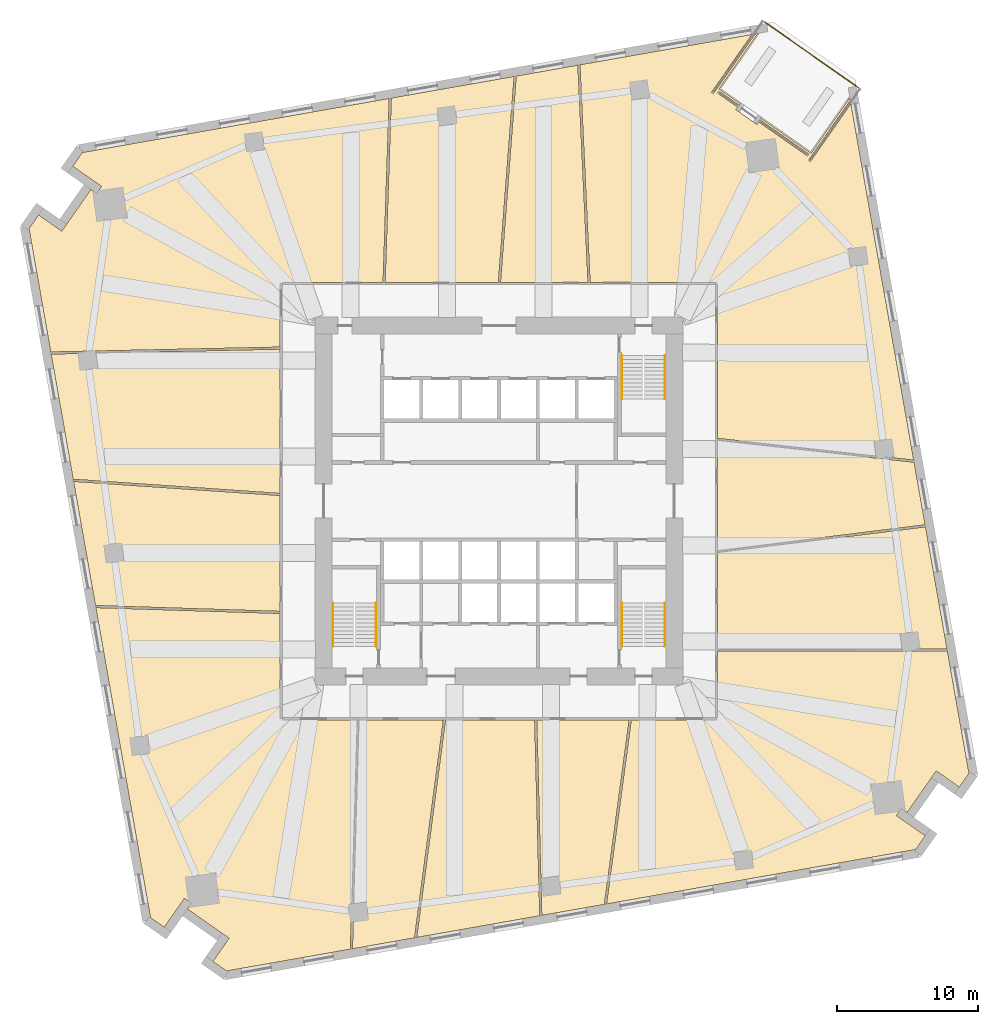
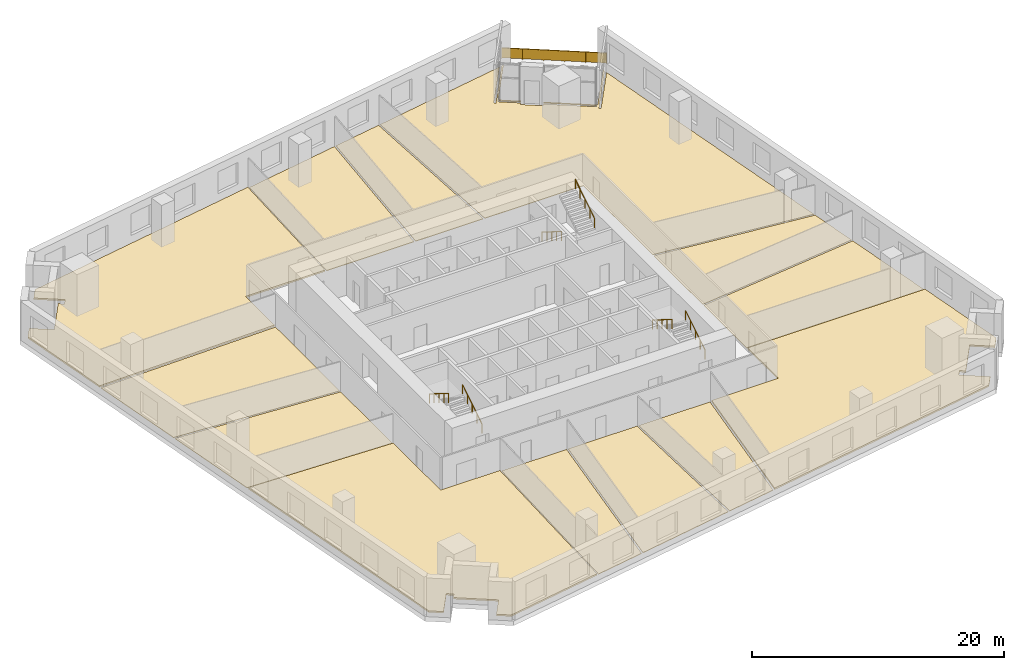
# One storey, part 9 of 10: 13 coverings, 7 railings.
"""IFC4 building model written with IfcOpenShell, lengths in metres."""

from ifc_helpers import new_model, si_unit, direction, frame, origin, origin_2d, place, context, subcontext, project, spatial, polyline, rectangle, circle, outline, extrude, material, layer, layer_set, type_object, element, save


model = new_model("IFC4")

# Units and contexts
model_context = context("Model", 3, precision=1e-05, world=origin(), true_north=direction((0.0, 1.0)))
body_context = subcontext(model_context, "Body", "Model", "MODEL_VIEW")
ifc_project = project(units=[si_unit("LENGTHUNIT", "METRE"), si_unit("AREAUNIT", "SQUARE_METRE"), si_unit("VOLUMEUNIT", "CUBIC_METRE"), si_unit("PLANEANGLEUNIT", "RADIAN"), si_unit("MASSUNIT", "GRAM", prefix="KILO")], contexts=[model_context])

# Site, building, storey
site_placement = place(None, origin())
site = spatial("IfcSite", under=ifc_project, at=site_placement, CompositionType="ELEMENT")
building_placement = place(site_placement, origin())
building = spatial("IfcBuilding", under=site, at=building_placement, Name="Dilmun Exchange Tower", CompositionType="ELEMENT")
storey_placement = place(building_placement, frame((0.0, 0.0, 63.89990234375)))
storey = spatial("IfcBuildingStorey", under=building, at=storey_placement, Name="L14", CompositionType="ELEMENT", Elevation=63.89990234375)

# Coverings
ifc_material_1 = material(Name="Carpet floor finish 50")
ifc_layer_1 = layer(ifc_material_1, 0.050048828125)
ifc_layer_set_1 = layer_set([ifc_layer_1], Name="Carpet floor finish 50")
covering_type_1 = type_object("IfcCoveringType", Name="Carpet floor finish 50", PredefinedType="FLOORING", material=ifc_layer_set_1)
covering_1_placement = place(storey_placement, origin())
element("IfcCovering", 1, at=covering_1_placement, inside=storey, type_object=covering_type_1, Name="Carpet floor finish 50 Settlement office 1", PredefinedType="FLOORING", context=body_context, shape_type="SweptSolid", body=[
    extrude(outline(polyline([(-15.47509765625, 10.740478515625), (-15.47509765625, 0.537841796875), (-30.122802734375, 1.539306640625), (-31.6845703125, 10.39599609375), (-15.47509765625, 10.740478515625)])), origin(), (0.0, 0.0, 1.0), 0.050048828125),
])
covering_2_placement = place(storey_placement, origin())
element("IfcCovering", 2, at=covering_2_placement, inside=storey, type_object=covering_type_1, Name="Carpet floor finish 50 Training room", PredefinedType="FLOORING", context=body_context, shape_type="SweptSolid", body=[
    extrude(outline(polyline([(-15.47509765625, 0.3876953125), (-15.47509765625, -7.806396484375), (-28.548095703125, -7.3916015625), (-30.09619140625, 1.38720703125), (-15.47509765625, 0.3876953125)])), origin(), (0.0, 0.0, 1.0), 0.050048828125),
])
covering_3_placement = place(storey_placement, origin())
element("IfcCovering", 3, at=covering_3_placement, inside=storey, type_object=covering_type_1, Name="Carpet floor finish 50 Settlement office 2", PredefinedType="FLOORING", context=body_context, shape_type="SweptSolid", body=[
    extrude(outline(polyline([(-9.8896484375, -15.47509765625), (-3.934814453125, -15.47509765625), (-5.976806640625, -30.905517578125), (-10.36474609375, -31.67919921875), (-9.8896484375, -15.47509765625)])), origin(), (0.0, 0.0, 1.0), 0.050048828125),
])
covering_4_placement = place(storey_placement, origin())
element("IfcCovering", 4, at=covering_4_placement, inside=storey, type_object=covering_type_1, Name="Carpet floor finish 50 Broker office 1", PredefinedType="FLOORING", context=body_context, shape_type="SweptSolid", body=[
    extrude(outline(polyline([(-0.044677734375, 15.47509765625), (-8.0537109375, 15.47509765625), (-7.616455078125, 28.508544921875), (1.068603515625, 30.0400390625), (-0.044677734375, 15.47509765625)])), origin(), (0.0, 0.0, 1.0), 0.050048828125),
])
covering_5_placement = place(storey_placement, origin())
element("IfcCovering", 5, at=covering_5_placement, inside=storey, type_object=covering_type_1, Name="Carpet floor finish 50 Settlement office 3", PredefinedType="FLOORING", context=body_context, shape_type="SweptSolid", body=[
    extrude(outline(polyline([(-3.783447265625, -15.47509765625), (2.5234375, -15.47509765625), (2.881103515625, -29.343505859375), (-5.822021484375, -30.878173828125), (-3.783447265625, -15.47509765625)])), origin(), (0.0, 0.0, 1.0), 0.050048828125),
])
covering_6_placement = place(storey_placement, origin())
element("IfcCovering", 6, at=covering_6_placement, inside=storey, type_object=covering_type_1, Name="Carpet floor finish 50 Broker office 2", PredefinedType="FLOORING", context=body_context, shape_type="SweptSolid", body=[
    extrude(outline(polyline([(6.29541015625, 15.47509765625), (0.10595703125, 15.47509765625), (1.22119140625, 30.06689453125), (5.5771484375, 30.8349609375), (6.29541015625, 15.47509765625)])), origin(), (0.0, 0.0, 1.0), 0.050048828125),
])
covering_7_placement = place(storey_placement, origin())
element("IfcCovering", 7, at=covering_7_placement, inside=storey, type_object=covering_type_1, Name="Carpet floor finish 50 Meeting room", PredefinedType="FLOORING", context=body_context, shape_type="SweptSolid", body=[
    extrude(outline(polyline([(2.67333984375, -15.47509765625), (9.2109375, -15.47509765625), (7.45361328125, -28.537353515625), (3.030517578125, -29.317138671875), (2.67333984375, -15.47509765625)])), origin(), (0.0, 0.0, 1.0), 0.050048828125),
])
covering_8_placement = place(storey_placement, origin())
element("IfcCovering", 8, at=covering_8_placement, inside=storey, type_object=covering_type_1, Name="Carpet floor finish 50 Garden lounge", PredefinedType="FLOORING", context=body_context, shape_type="SweptSolid", body=[
    extrude(outline(polyline([(15.5751953125, 29.15478515625), (17.0595703125, 28.115478515625), (16.9775390625, 27.998291015625), (15.5546875, 28.994873046875), (15.554443359375, 28.994873046875), (15.55419921875, 28.9951171875), (15.55419921875, 28.9951171875), (15.553955078125, 28.9951171875), (15.5537109375, 28.9951171875), (15.553466796875, 28.9951171875), (15.55322265625, 28.9951171875), (15.552978515625, 28.9951171875), (15.552978515625, 28.9951171875), (15.552734375, 28.9951171875), (15.552490234375, 28.994873046875), (15.552490234375, 28.994873046875), (15.55224609375, 28.99462890625), (15.552001953125, 28.99462890625), (15.552001953125, 28.994384765625), (15.5517578125, 28.994384765625), (15.460205078125, 28.86328125), (15.4599609375, 28.863037109375), (15.4599609375, 28.86279296875), (15.459716796875, 28.86279296875), (15.459716796875, 28.862548828125), (15.459716796875, 28.8623046875), (15.459716796875, 28.862060546875), (15.459716796875, 28.86181640625), (15.459716796875, 28.86181640625), (15.459716796875, 28.861572265625), (15.4599609375, 28.861328125), (15.4599609375, 28.861083984375), (15.4599609375, 28.861083984375), (15.460205078125, 28.86083984375), (15.460205078125, 28.860595703125), (15.46044921875, 28.860595703125), (15.460693359375, 28.8603515625), (16.883544921875, 27.864013671875), (16.758544921875, 27.685546875), (16.75830078125, 27.685302734375), (16.75830078125, 27.685302734375), (16.75830078125, 27.68505859375), (16.75830078125, 27.684814453125), (16.758056640625, 27.6845703125), (16.758056640625, 27.684326171875), (16.758056640625, 27.68408203125), (16.75830078125, 27.68408203125), (16.75830078125, 27.683837890625), (16.75830078125, 27.68359375), (16.75830078125, 27.68359375), (16.75830078125, 27.683349609375), (16.758544921875, 27.68310546875), (16.7587890625, 27.68310546875), (16.7587890625, 27.682861328125), (16.759033203125, 27.6826171875), (18.2333984375, 26.650146484375), (18.233642578125, 26.650146484375), (18.23388671875, 26.64990234375), (18.23388671875, 26.64990234375), (18.234130859375, 26.64990234375), (18.234375, 26.64990234375), (18.234619140625, 26.64990234375), (18.23486328125, 26.64990234375), (18.235107421875, 26.64990234375), (18.235107421875, 26.64990234375), (18.2353515625, 26.64990234375), (18.235595703125, 26.650146484375), (18.235595703125, 26.650146484375), (18.23583984375, 26.650390625), (18.236083984375, 26.650390625), (18.236083984375, 26.650634765625), (18.236328125, 26.650634765625), (18.361328125, 26.829345703125), (21.83203125, 24.39892578125), (21.832275390625, 24.39892578125), (21.83251953125, 24.398681640625), (21.83251953125, 24.398681640625), (21.832763671875, 24.398681640625), (21.8330078125, 24.398681640625), (21.833251953125, 24.398681640625), (21.83349609375, 24.398681640625), (21.83349609375, 24.398681640625), (21.833740234375, 24.398681640625), (21.833984375, 24.398681640625), (21.833984375, 24.39892578125), (21.834228515625, 24.39892578125), (21.83447265625, 24.399169921875), (21.834716796875, 24.399169921875), (21.834716796875, 24.3994140625), (21.8349609375, 24.3994140625), (21.926513671875, 24.530517578125), (21.9267578125, 24.53076171875), (21.9267578125, 24.531005859375), (21.927001953125, 24.531005859375), (21.927001953125, 24.53125), (21.927001953125, 24.531494140625), (21.927001953125, 24.53173828125), (21.927001953125, 24.531982421875), (21.927001953125, 24.531982421875), (21.927001953125, 24.5322265625), (21.927001953125, 24.532470703125), (21.9267578125, 24.53271484375), (21.9267578125, 24.53271484375), (21.926513671875, 24.532958984375), (21.926513671875, 24.533203125), (21.92626953125, 24.533203125), (21.926025390625, 24.533447265625), (18.455322265625, 26.963623046875), (18.537353515625, 27.080810546875), (22.069580078125, 24.607421875), (24.81982421875, 28.535400390625), (24.85498046875, 28.336181640625), (21.885498046875, 24.095458984375), (21.885498046875, 24.09521484375), (21.885498046875, 24.09521484375), (21.885498046875, 24.094970703125), (21.88525390625, 24.0947265625), (21.88525390625, 24.094482421875), (21.88525390625, 24.09423828125), (21.88525390625, 24.093994140625), (21.88525390625, 24.093994140625), (21.88525390625, 24.09375), (21.885498046875, 24.093505859375), (21.885498046875, 24.093505859375), (21.885498046875, 24.09326171875), (21.8857421875, 24.093017578125), (21.8857421875, 24.093017578125), (21.885986328125, 24.0927734375), (21.885986328125, 24.092529296875), (22.01708984375, 24.0009765625), (22.017333984375, 24.000732421875), (22.017578125, 24.000732421875), (22.017578125, 24.00048828125), (22.017822265625, 24.00048828125), (22.01806640625, 24.00048828125), (22.018310546875, 24.00048828125), (22.0185546875, 24.00048828125), (22.018798828125, 24.00048828125), (22.018798828125, 24.00048828125), (22.01904296875, 24.000732421875), (22.019287109375, 24.000732421875), (22.019287109375, 24.000732421875), (22.01953125, 24.0009765625), (22.019775390625, 24.001220703125), (22.02001953125, 24.001220703125), (22.02001953125, 24.00146484375), (24.895263671875, 28.10791015625), (29.34130859375, 2.892822265625), (15.47509765625, 4.431884765625), (15.47509765625, 15.47509765625), (6.445556640625, 15.47509765625), (5.72607421875, 30.861083984375), (17.89794921875, 33.007568359375), (15.022705078125, 28.90087890625), (15.0224609375, 28.90087890625), (15.0224609375, 28.900634765625), (15.0224609375, 28.900390625), (15.022216796875, 28.900146484375), (15.022216796875, 28.89990234375), (15.022216796875, 28.89990234375), (15.022216796875, 28.899658203125), (15.022216796875, 28.8994140625), (15.022216796875, 28.899169921875), (15.0224609375, 28.899169921875), (15.0224609375, 28.89892578125), (15.022705078125, 28.898681640625), (15.022705078125, 28.898681640625), (15.022705078125, 28.8984375), (15.02294921875, 28.898193359375), (15.023193359375, 28.898193359375), (15.154296875, 28.806396484375), (15.154296875, 28.806396484375), (15.154541015625, 28.80615234375), (15.15478515625, 28.80615234375), (15.15478515625, 28.80615234375), (15.155029296875, 28.805908203125), (15.1552734375, 28.805908203125), (15.155517578125, 28.805908203125), (15.15576171875, 28.805908203125), (15.156005859375, 28.80615234375), (15.156005859375, 28.80615234375), (15.15625, 28.80615234375), (15.156494140625, 28.806396484375), (15.156494140625, 28.806396484375), (15.15673828125, 28.806640625), (15.156982421875, 28.806640625), (15.156982421875, 28.806884765625), (18.12646484375, 33.047607421875), (18.32568359375, 33.082763671875), (15.5751953125, 29.15478515625)])), origin(), (0.0, 0.0, 1.0), 0.050048828125),
])
covering_9_placement = place(storey_placement, origin())
element("IfcCovering", 9, at=covering_9_placement, inside=storey, type_object=covering_type_1, Name="Carpet floor finish 50 Clearing office", PredefinedType="FLOORING", context=body_context, shape_type="SweptSolid", body=[
    extrude(outline(polyline([(15.47509765625, -3.50244140625), (15.47509765625, 4.281005859375), (29.368408203125, 2.739013671875), (30.1484375, -1.68359375), (15.47509765625, -3.50244140625)])), origin(), (0.0, 0.0, 1.0), 0.050048828125),
])
covering_10_placement = place(storey_placement, origin())
element("IfcCovering", 10, at=covering_10_placement, inside=storey, type_object=covering_type_1, Name="Carpet floor finish 50 Settlement office 4", PredefinedType="FLOORING", context=body_context, shape_type="SweptSolid", body=[
    extrude(outline(polyline([(15.47509765625, -10.462646484375), (15.47509765625, -3.653564453125), (30.174560546875, -1.83154296875), (31.697998046875, -10.47216796875), (15.47509765625, -10.462646484375)])), origin(), (0.0, 0.0, 1.0), 0.050048828125),
])
ifc_material_2 = material(Name="Raised access floor 150")
ifc_layer_2 = layer(ifc_material_2, 0.14990234375)
ifc_layer_set_2 = layer_set([ifc_layer_2], Name="Raised access floor 150")
covering_type_2 = type_object("IfcCoveringType", Name="Raised access floor 150", PredefinedType="FLOORING", material=ifc_layer_set_2)
covering_11_placement = place(storey_placement, origin())
element("IfcCovering", 11, at=covering_11_placement, inside=storey, type_object=covering_type_2, Name="Raised access floor 150 Market operations room 1", PredefinedType="FLOORING", context=body_context, shape_type="SweptSolid", body=[
    extrude(outline(polyline([(-8.20361328125, 15.47509765625), (-15.47509765625, 15.47509765625), (-15.47509765625, 10.890625), (-31.7109375, 10.54541015625), (-33.249267578125, 19.269775390625), (-32.570068359375, 20.23974609375), (-30.933349609375, 19.09375), (-30.933349609375, 19.093505859375), (-30.93310546875, 19.093505859375), (-30.932861328125, 19.093505859375), (-30.9326171875, 19.093505859375), (-30.9326171875, 19.093505859375), (-30.932373046875, 19.093505859375), (-30.93212890625, 19.093505859375), (-30.931884765625, 19.093505859375), (-30.931640625, 19.093505859375), (-30.931640625, 19.093505859375), (-30.931396484375, 19.093505859375), (-30.93115234375, 19.09375), (-30.930908203125, 19.09375), (-30.930908203125, 19.093994140625), (-30.930908203125, 19.093994140625), (-30.9306640625, 19.09423828125), (-30.58642578125, 19.585693359375), (-30.58642578125, 19.5859375), (-30.58642578125, 19.5859375), (-28.866943359375, 22.04150390625), (-28.460205078125, 21.756591796875), (-28.4599609375, 21.756591796875), (-28.459716796875, 21.756591796875), (-28.459716796875, 21.756591796875), (-28.45947265625, 21.75634765625), (-28.459228515625, 21.75634765625), (-28.458984375, 21.75634765625), (-28.458740234375, 21.75634765625), (-28.45849609375, 21.75634765625), (-28.45849609375, 21.75634765625), (-28.458251953125, 21.756591796875), (-28.4580078125, 21.756591796875), (-28.4580078125, 21.756591796875), (-28.457763671875, 21.7568359375), (-28.45751953125, 21.7568359375), (-28.45751953125, 21.757080078125), (-28.457275390625, 21.757080078125), (-28.11328125, 22.248779296875), (-28.113037109375, 22.248779296875), (-28.113037109375, 22.2490234375), (-28.11279296875, 22.249267578125), (-28.11279296875, 22.24951171875), (-28.11279296875, 22.24951171875), (-28.11279296875, 22.249755859375), (-28.11279296875, 22.25), (-28.11279296875, 22.250244140625), (-28.11279296875, 22.25048828125), (-28.113037109375, 22.25048828125), (-28.113037109375, 22.250732421875), (-28.113037109375, 22.2509765625), (-28.11328125, 22.251220703125), (-28.11328125, 22.251220703125), (-28.113525390625, 22.25146484375), (-28.11376953125, 22.25146484375), (-30.15869140625, 23.683349609375), (-29.4794921875, 24.653564453125), (-7.767333984375, 28.48193359375), (-8.20361328125, 15.47509765625)])), origin(), (0.0, 0.0, 1.0), 0.150146484375),
])
covering_12_placement = place(storey_placement, origin())
element("IfcCovering", 12, at=covering_12_placement, inside=storey, type_object=covering_type_2, Name="Raised access floor 150 Market operations room 2", PredefinedType="FLOORING", context=body_context, shape_type="SweptSolid", body=[
    extrude(outline(polyline([(-15.47509765625, -7.956298828125), (-15.47509765625, -15.47509765625), (-10.03955078125, -15.47509765625), (-10.515380859375, -31.705810546875), (-19.269775390625, -33.249267578125), (-20.23974609375, -32.570068359375), (-19.09375, -30.933349609375), (-19.093505859375, -30.933349609375), (-19.093505859375, -30.93310546875), (-19.093505859375, -30.932861328125), (-19.093505859375, -30.9326171875), (-19.093505859375, -30.9326171875), (-19.093505859375, -30.932373046875), (-19.093505859375, -30.93212890625), (-19.093505859375, -30.931884765625), (-19.093505859375, -30.931640625), (-19.093505859375, -30.931640625), (-19.093505859375, -30.931396484375), (-19.09375, -30.93115234375), (-19.09375, -30.930908203125), (-19.093994140625, -30.930908203125), (-19.093994140625, -30.930908203125), (-19.09423828125, -30.9306640625), (-19.585693359375, -30.58642578125), (-19.5859375, -30.58642578125), (-19.5859375, -30.58642578125), (-22.04150390625, -28.866943359375), (-21.756591796875, -28.460205078125), (-21.756591796875, -28.4599609375), (-21.756591796875, -28.459716796875), (-21.756591796875, -28.459716796875), (-21.75634765625, -28.45947265625), (-21.75634765625, -28.459228515625), (-21.75634765625, -28.458984375), (-21.75634765625, -28.458740234375), (-21.75634765625, -28.45849609375), (-21.75634765625, -28.45849609375), (-21.756591796875, -28.458251953125), (-21.756591796875, -28.4580078125), (-21.756591796875, -28.4580078125), (-21.7568359375, -28.457763671875), (-21.7568359375, -28.45751953125), (-21.757080078125, -28.45751953125), (-21.757080078125, -28.457275390625), (-22.248779296875, -28.11328125), (-22.248779296875, -28.113037109375), (-22.2490234375, -28.113037109375), (-22.249267578125, -28.11279296875), (-22.24951171875, -28.11279296875), (-22.24951171875, -28.11279296875), (-22.249755859375, -28.11279296875), (-22.25, -28.11279296875), (-22.250244140625, -28.11279296875), (-22.25048828125, -28.11279296875), (-22.25048828125, -28.113037109375), (-22.250732421875, -28.113037109375), (-22.2509765625, -28.113037109375), (-22.251220703125, -28.11328125), (-22.251220703125, -28.11328125), (-22.25146484375, -28.113525390625), (-22.25146484375, -28.11376953125), (-23.683349609375, -30.15869140625), (-24.653564453125, -29.4794921875), (-28.521484375, -7.54248046875), (-15.47509765625, -7.956298828125)])), origin(), (0.0, 0.0, 1.0), 0.150146484375),
])
covering_13_placement = place(storey_placement, origin())
element("IfcCovering", 13, at=covering_13_placement, inside=storey, type_object=covering_type_2, Name="Raised access floor 150 Market operations room 3", PredefinedType="FLOORING", context=body_context, shape_type="SweptSolid", body=[
    extrude(outline(polyline([(9.3623046875, -15.47509765625), (15.47509765625, -15.47509765625), (15.47509765625, -10.61279296875), (31.724609375, -10.6220703125), (33.249267578125, -19.269775390625), (32.570068359375, -20.23974609375), (30.933349609375, -19.09375), (30.933349609375, -19.093505859375), (30.93310546875, -19.093505859375), (30.932861328125, -19.093505859375), (30.9326171875, -19.093505859375), (30.9326171875, -19.093505859375), (30.932373046875, -19.093505859375), (30.93212890625, -19.093505859375), (30.931884765625, -19.093505859375), (30.931640625, -19.093505859375), (30.931640625, -19.093505859375), (30.931396484375, -19.093505859375), (30.93115234375, -19.09375), (30.930908203125, -19.09375), (30.930908203125, -19.093994140625), (30.930908203125, -19.093994140625), (30.9306640625, -19.09423828125), (30.58642578125, -19.585693359375), (30.58642578125, -19.5859375), (30.58642578125, -19.5859375), (28.866943359375, -22.04150390625), (28.460205078125, -21.756591796875), (28.4599609375, -21.756591796875), (28.459716796875, -21.756591796875), (28.459716796875, -21.756591796875), (28.45947265625, -21.75634765625), (28.459228515625, -21.75634765625), (28.458984375, -21.75634765625), (28.458740234375, -21.75634765625), (28.45849609375, -21.75634765625), (28.45849609375, -21.75634765625), (28.458251953125, -21.756591796875), (28.4580078125, -21.756591796875), (28.4580078125, -21.756591796875), (28.457763671875, -21.7568359375), (28.45751953125, -21.7568359375), (28.45751953125, -21.757080078125), (28.457275390625, -21.757080078125), (28.11328125, -22.248779296875), (28.113037109375, -22.248779296875), (28.113037109375, -22.2490234375), (28.11279296875, -22.249267578125), (28.11279296875, -22.24951171875), (28.11279296875, -22.24951171875), (28.11279296875, -22.249755859375), (28.11279296875, -22.25), (28.11279296875, -22.250244140625), (28.11279296875, -22.25048828125), (28.113037109375, -22.25048828125), (28.113037109375, -22.250732421875), (28.113037109375, -22.2509765625), (28.11328125, -22.251220703125), (28.11328125, -22.251220703125), (28.113525390625, -22.25146484375), (28.11376953125, -22.25146484375), (30.15869140625, -23.683349609375), (29.4794921875, -24.653564453125), (7.6083984375, -28.510009765625), (9.3623046875, -15.47509765625)])), origin(), (0.0, 0.0, 1.0), 0.150146484375),
])

# Railings
ifc_material_3 = material(Name="Stainless steel", Category="steel")
railing_type_1 = type_object("IfcRailingType", Name="Stair handrail 900", PredefinedType="HANDRAIL", material=ifc_material_3)
railing_1_placement = place(storey_placement, frame((8.699951171875, 10.300048828125, 0.175048828125)))
element("IfcRailing", 14, at=railing_1_placement, inside=storey, type_object=railing_type_1, Name="L14 ST1 stair handrail 1", PredefinedType="HANDRAIL", context=body_context, shape_type="SweptSolid", body=[
    extrude(circle(Radius=0.02392578125, at=origin_2d()), frame((0.0, 0.0, 0.8759765625), z_axis=(0.0, -0.847998304005, 0.529998940003), x_axis=(1.0, 0.0, 0.0)), (0.0, 0.0, 1.0), 3.632080078125),
    extrude(circle(Radius=0.02099609375, at=origin_2d()), origin(), (0.0, 0.0, 1.0), 0.851806640625),
    extrude(circle(Radius=0.02099609375, at=origin_2d()), frame((0.0, -0.77001953125, 0.481201171875)), (0.0, 0.0, 1.0), 0.851806640625),
    extrude(circle(Radius=0.02099609375, at=origin_2d()), frame((0.0, -1.5400390625, 0.96240234375)), (0.0, 0.0, 1.0), 0.851806640625),
    extrude(circle(Radius=0.02099609375, at=origin_2d()), frame((0.0, -2.31005859375, 1.44384765625)), (0.0, 0.0, 1.0), 0.851806640625),
    extrude(circle(Radius=0.02099609375, at=origin_2d()), frame((0.0, -3.080078125, 1.925048828125)), (0.0, 0.0, 1.0), 0.851806640625),
])
for number, where, name in (
    (15, (11.75, 7.219970703125, 2.275146484375), "L14 ST1 stair handrail 2"),
    (16, (-8.699951171875, -10.300048828125, 0.175048828125), "L14 ST2 stair handrail 1"),
):
    element("IfcRailing", number, at=place(storey_placement, frame(where)), inside=storey, type_object=railing_type_1, Name=name, PredefinedType="HANDRAIL", context=body_context, shape_type="SweptSolid", body=[
        extrude(circle(Radius=0.02392578125, at=origin_2d()), frame((0.0, 0.0, 0.8759765625), z_axis=(0.0, 0.847998304005, 0.529998940003), x_axis=(-1.0, 0.0, 0.0)), (0.0, 0.0, 1.0), 3.632080078125),
        extrude(circle(Radius=0.02099609375, at=origin_2d()), origin(), (0.0, 0.0, 1.0), 0.851806640625),
        extrude(circle(Radius=0.02099609375, at=origin_2d()), frame((0.0, 0.77001953125, 0.481201171875)), (0.0, 0.0, 1.0), 0.851806640625),
        extrude(circle(Radius=0.02099609375, at=origin_2d()), frame((0.0, 1.5400390625, 0.96240234375)), (0.0, 0.0, 1.0), 0.851806640625),
        extrude(circle(Radius=0.02099609375, at=origin_2d()), frame((0.0, 2.31005859375, 1.44384765625)), (0.0, 0.0, 1.0), 0.851806640625),
        extrude(circle(Radius=0.02099609375, at=origin_2d()), frame((0.0, 3.080078125, 1.925048828125)), (0.0, 0.0, 1.0), 0.851806640625),
    ])
railing_2_placement = place(storey_placement, frame((-11.75, -7.219970703125, 2.275146484375)))
element("IfcRailing", 17, at=railing_2_placement, inside=storey, type_object=railing_type_1, Name="L14 ST2 stair handrail 2", PredefinedType="HANDRAIL", context=body_context, shape_type="SweptSolid", body=[
    extrude(circle(Radius=0.02392578125, at=origin_2d()), frame((0.0, 0.0, 0.8759765625), z_axis=(0.0, -0.847998304005, 0.529998940003), x_axis=(1.0, 0.0, 0.0)), (0.0, 0.0, 1.0), 3.632080078125),
    extrude(circle(Radius=0.02099609375, at=origin_2d()), origin(), (0.0, 0.0, 1.0), 0.851806640625),
    extrude(circle(Radius=0.02099609375, at=origin_2d()), frame((0.0, -0.77001953125, 0.481201171875)), (0.0, 0.0, 1.0), 0.851806640625),
    extrude(circle(Radius=0.02099609375, at=origin_2d()), frame((0.0, -1.5400390625, 0.96240234375)), (0.0, 0.0, 1.0), 0.851806640625),
    extrude(circle(Radius=0.02099609375, at=origin_2d()), frame((0.0, -2.31005859375, 1.44384765625)), (0.0, 0.0, 1.0), 0.851806640625),
    extrude(circle(Radius=0.02099609375, at=origin_2d()), frame((0.0, -3.080078125, 1.925048828125)), (0.0, 0.0, 1.0), 0.851806640625),
])
railing_3_placement = place(storey_placement, frame((11.75, -10.300048828125, 0.175048828125)))
element("IfcRailing", 18, at=railing_3_placement, inside=storey, type_object=railing_type_1, Name="L14 ST3 stair handrail 1", PredefinedType="HANDRAIL", context=body_context, shape_type="SweptSolid", body=[
    extrude(circle(Radius=0.02392578125, at=origin_2d()), frame((0.0, 0.0, 0.8759765625), z_axis=(0.0, 0.847998304005, 0.529998940003), x_axis=(-1.0, 0.0, 0.0)), (0.0, 0.0, 1.0), 3.632080078125),
    extrude(circle(Radius=0.02099609375, at=origin_2d()), origin(), (0.0, 0.0, 1.0), 0.851806640625),
    extrude(circle(Radius=0.02099609375, at=origin_2d()), frame((0.0, 0.77001953125, 0.481201171875)), (0.0, 0.0, 1.0), 0.851806640625),
    extrude(circle(Radius=0.02099609375, at=origin_2d()), frame((0.0, 1.5400390625, 0.96240234375)), (0.0, 0.0, 1.0), 0.851806640625),
    extrude(circle(Radius=0.02099609375, at=origin_2d()), frame((0.0, 2.31005859375, 1.44384765625)), (0.0, 0.0, 1.0), 0.851806640625),
    extrude(circle(Radius=0.02099609375, at=origin_2d()), frame((0.0, 3.080078125, 1.925048828125)), (0.0, 0.0, 1.0), 0.851806640625),
])
railing_4_placement = place(storey_placement, frame((8.699951171875, -7.219970703125, 2.275146484375)))
element("IfcRailing", 19, at=railing_4_placement, inside=storey, type_object=railing_type_1, Name="L14 ST3 stair handrail 2", PredefinedType="HANDRAIL", context=body_context, shape_type="SweptSolid", body=[
    extrude(circle(Radius=0.02392578125, at=origin_2d()), frame((0.0, 0.0, 0.8759765625), z_axis=(0.0, -0.847998304005, 0.529998940003), x_axis=(1.0, 0.0, 0.0)), (0.0, 0.0, 1.0), 3.632080078125),
    extrude(circle(Radius=0.02099609375, at=origin_2d()), origin(), (0.0, 0.0, 1.0), 0.851806640625),
    extrude(circle(Radius=0.02099609375, at=origin_2d()), frame((0.0, -0.77001953125, 0.481201171875)), (0.0, 0.0, 1.0), 0.851806640625),
    extrude(circle(Radius=0.02099609375, at=origin_2d()), frame((0.0, -1.5400390625, 0.96240234375)), (0.0, 0.0, 1.0), 0.851806640625),
    extrude(circle(Radius=0.02099609375, at=origin_2d()), frame((0.0, -2.31005859375, 1.44384765625)), (0.0, 0.0, 1.0), 0.851806640625),
    extrude(circle(Radius=0.02099609375, at=origin_2d()), frame((0.0, -3.080078125, 1.925048828125)), (0.0, 0.0, 1.0), 0.851806640625),
])
railing_type_2 = type_object("IfcRailingType", Name="Terrace guard 1100 stainless steel", PredefinedType="GUARDRAIL", material=ifc_material_3)
railing_5_placement = place(storey_placement, frame((18.672607421875, 33.970703125, 0.0)))
element("IfcRailing", 20, at=railing_5_placement, inside=storey, type_object=railing_type_2, Name="Terrace guard 1", PredefinedType="GUARDRAIL", context=body_context, shape_type="SweptSolid", body=[
    extrude(circle(Radius=0.02392578125, at=origin_2d()), frame((0.0, 0.0, 1.076171875), z_axis=(0.819159356891, -0.573565992732, 0.0), x_axis=(0.573565992732, 0.819159356891, 0.0)), (0.0, 0.0, 1.0), 8.378173828125),
    extrude(rectangle(XDim=0.011962890625, YDim=0.951904296875, at=origin_2d()), frame((0.0, 0.0, 0.576171875), z_axis=(0.819159356891, -0.573565992732, 0.0), x_axis=(0.573565992732, 0.819159356891, 0.0)), (0.0, 0.0, 1.0), 8.378173828125),
    extrude(circle(Radius=0.02099609375, at=origin_2d()), origin(), (0.0, 0.0, 1.0), 1.052001953125),
    extrude(circle(Radius=0.02099609375, at=origin_2d()), frame((1.37255859375, -0.961181640625, 0.0)), (0.0, 0.0, 1.0), 1.052001953125),
    extrude(circle(Radius=0.02099609375, at=origin_2d()), frame((2.7451171875, -1.922119140625, 0.0)), (0.0, 0.0, 1.0), 1.052001953125),
    extrude(circle(Radius=0.02099609375, at=origin_2d()), frame((4.117919921875, -2.88330078125, 0.0)), (0.0, 0.0, 1.0), 1.052001953125),
    extrude(circle(Radius=0.02099609375, at=origin_2d()), frame((5.490478515625, -3.84423828125, 0.0)), (0.0, 0.0, 1.0), 1.052001953125),
    extrude(circle(Radius=0.02099609375, at=origin_2d()), frame((6.863037109375, -4.805419921875, 0.0)), (0.0, 0.0, 1.0), 1.052001953125),
])

save(model, "model.ifc")
